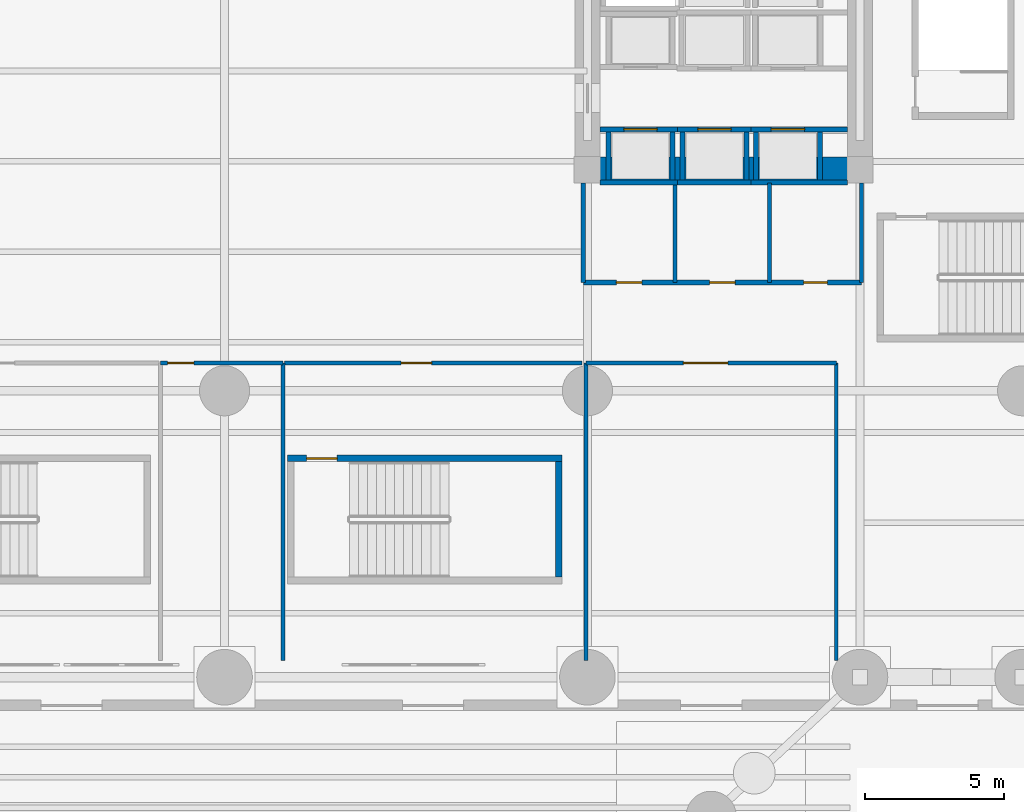
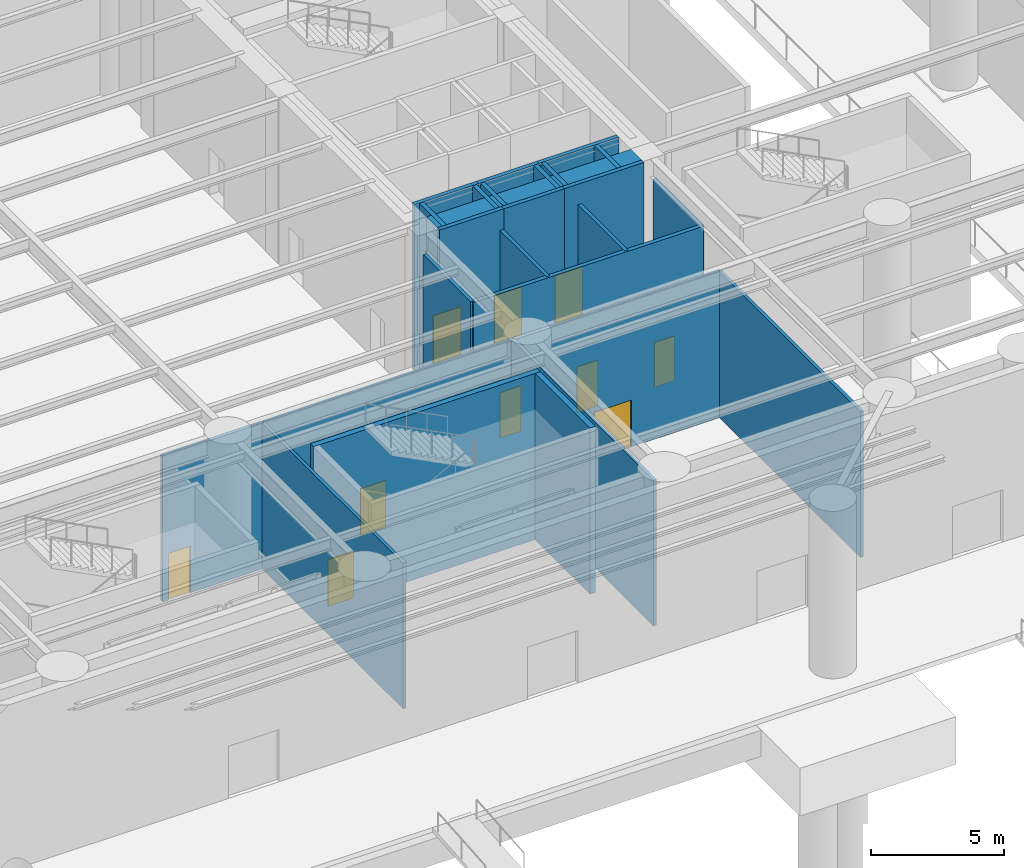
# One storey, part 10 of 25: 26 walls, 10 doors, 10 openings.
"""IFC4 building model written with IfcOpenShell, lengths in metres."""

from ifc_helpers import new_model, si_unit, direction, frame, frame_2d, origin, place, context, subcontext, project, spatial, rectangle, extrude, material, layer, layer_set, type_object, element, fill, save


model = new_model("IFC4")

# Units and contexts
model_context = context("Model", 3, precision=1e-05, world=origin(), true_north=direction((0.0, 1.0)))
body_context = subcontext(model_context, "Body", "Model", "MODEL_VIEW")
ifc_project = project(units=[si_unit("LENGTHUNIT", "METRE"), si_unit("AREAUNIT", "SQUARE_METRE"), si_unit("VOLUMEUNIT", "CUBIC_METRE"), si_unit("PLANEANGLEUNIT", "RADIAN"), si_unit("MASSUNIT", "GRAM", prefix="KILO")], contexts=[model_context])

# Site, building, storey
site_placement = place(None, origin())
site = spatial("IfcSite", under=ifc_project, at=site_placement, CompositionType="ELEMENT")
building_placement = place(site_placement, origin())
building = spatial("IfcBuilding", under=site, at=building_placement, Name="Kolvaren Arena Tower", CompositionType="ELEMENT")
storey_placement = place(building_placement, origin())
storey = spatial("IfcBuildingStorey", under=building, at=storey_placement, Name="L00", CompositionType="ELEMENT", Elevation=0.0)

# Wall, opening, door
ifc_material_1 = material(Name="Gypsum board acoustic assembly", Category="gypsum")
ifc_layer_1 = layer(ifc_material_1, 0.159912109375)
ifc_layer_set_1 = layer_set([ifc_layer_1], Name="Gypsum board acoustic assembly")
wall_type_1 = type_object("IfcWallType", Name="CORR-160", PredefinedType="PARTITIONING", material=ifc_layer_set_1)
wall_1_placement = place(storey_placement, frame((39.64990234375, 12.5, 0.0), z_axis=(0.0, 0.0, 1.0), x_axis=(1.0, 0.0, 0.0)))
wall_1 = element("IfcWall", 1, at=wall_1_placement, inside=storey, type_object=wall_type_1, Name="Interior Partition Wall (L00)", PredefinedType="PARTITIONING", context=body_context, shape_type="SweptSolid", body=[
    extrude(rectangle(XDim=10.7001953125, YDim=0.159912109375, at=frame_2d((5.35009765625, 0.0))), origin(), (0.0, 0.0, 1.0), 6.7099609375),
])
opening_1_placement = place(wall_1_placement, frame((4.199951171875, 0.0, 0.0)))
opening_1 = element("IfcOpeningElement", 2, at=opening_1_placement, cuts=wall_1, Name="Opening D03", PredefinedType="OPENING", context=body_context, shape_type="SweptSolid", body=[
    extrude(rectangle(XDim=1.10009765625, YDim=2.14990234375, at=frame_2d((0.550048828125, 1.074951171875))), frame((0.0, 0.08984375, 0.0), z_axis=(0.0, -1.0, 0.0), x_axis=(1.0, 0.0, 0.0)), (0.0, 0.0, 1.0), 0.179931640625),
])
ifc_material_2 = material(Name="Fire-rated steel exit stair door", Category="steel")
door_type_1 = type_object("IfcDoorType", Name="DOOR-ST-110", OperationType="NOTDEFINED", PredefinedType="DOOR", material=ifc_material_2)
door_1_placement = place(opening_1_placement, origin())
door_1 = element("IfcDoor", 3, at=door_1_placement, inside=storey, type_object=door_type_1, Name="South-East Exit Lobby Door", OperationType="SINGLE_SWING_LEFT", OverallHeight=2.14990234375, OverallWidth=1.10009765625, PredefinedType="DOOR", context=body_context, shape_type="SweptSolid", body=[
    extrude(rectangle(XDim=1.10009765625, YDim=2.14990234375, at=frame_2d((0.550048828125, 1.074951171875))), frame((0.0, 0.02490234375, 0.0), z_axis=(0.0, -1.0, 0.0), x_axis=(1.0, 0.0, 0.0)), (0.0, 0.0, 1.0), 0.050048828125),
])
fill(opening_1, door_1)

wall_2_placement = place(storey_placement, frame((35.199951171875, 12.5, 0.0), z_axis=(0.0, 0.0, 1.0), x_axis=(1.0, 0.0, 0.0)))
wall_2 = element("IfcWall", 4, at=wall_2_placement, inside=storey, type_object=wall_type_1, Name="Interior Partition Wall (L00)", PredefinedType="PARTITIONING", context=body_context, shape_type="SweptSolid", body=[
    extrude(rectangle(XDim=4.400146484375, YDim=0.159912109375, at=frame_2d((2.2001953125, 0.0))), origin(), (0.0, 0.0, 1.0), 6.7099609375),
])
opening_2_placement = place(wall_2_placement, frame((0.25, 0.0, 0.0)))
opening_2 = element("IfcOpeningElement", 5, at=opening_2_placement, cuts=wall_2, Name="Opening D05", PredefinedType="OPENING", context=body_context, shape_type="SweptSolid", body=[
    extrude(rectangle(XDim=0.949951171875, YDim=2.14990234375, at=frame_2d((0.47509765625, 1.074951171875))), frame((0.0, 0.08984375, 0.0), z_axis=(0.0, -1.0, 0.0), x_axis=(1.0, 0.0, 0.0)), (0.0, 0.0, 1.0), 0.179931640625),
])
ifc_material_3 = material(Name="Solid-core oak acoustic office door", Category="wood")
door_type_2 = type_object("IfcDoorType", Name="DOOR-OF-095", OperationType="NOTDEFINED", PredefinedType="DOOR", material=ifc_material_3)
door_2_placement = place(opening_2_placement, origin())
door_2 = element("IfcDoor", 6, at=door_2_placement, inside=storey, type_object=door_type_2, Name="Ticket Box Office Door", OperationType="SINGLE_SWING_RIGHT", OverallHeight=2.14990234375, OverallWidth=0.949951171875, PredefinedType="DOOR", context=body_context, shape_type="SweptSolid", body=[
    extrude(rectangle(XDim=0.949951171875, YDim=2.14990234375, at=frame_2d((0.47509765625, 1.074951171875))), frame((0.0, 0.02490234375, 0.0), z_axis=(0.0, -1.0, 0.0), x_axis=(1.0, 0.0, 0.0)), (0.0, 0.0, 1.0), 0.050048828125),
])
fill(opening_2, door_2)

wall_3_placement = place(storey_placement, frame((50.5, 12.5, 0.0), z_axis=(0.0, 0.0, 1.0), x_axis=(1.0, 0.0, 0.0)))
wall_3 = element("IfcWall", 7, at=wall_3_placement, inside=storey, type_object=wall_type_1, Name="Interior Partition Wall (L00)", PredefinedType="PARTITIONING", context=body_context, shape_type="SweptSolid", body=[
    extrude(rectangle(XDim=9.0, YDim=0.159912109375, at=frame_2d((4.5, 0.0))), origin(), (0.0, 0.0, 1.0), 6.7099609375),
])
opening_3_placement = place(wall_3_placement, frame((3.5, 0.0, 0.0)))
opening_3 = element("IfcOpeningElement", 8, at=opening_3_placement, cuts=wall_3, Name="Opening D06", PredefinedType="OPENING", context=body_context, shape_type="SweptSolid", body=[
    extrude(rectangle(XDim=1.60009765625, YDim=2.14990234375, at=frame_2d((0.800048828125, 1.074951171875))), frame((0.0, 0.08984375, 0.0), z_axis=(0.0, -1.0, 0.0), x_axis=(1.0, 0.0, 0.0)), (0.0, 0.0, 1.0), 0.179931640625),
])
ifc_material_4 = material(Name="Glazed acoustic boardroom double door", Category="aluminium")
door_type_3 = type_object("IfcDoorType", Name="DOOR-MT-160", OperationType="DOUBLE_DOOR_SINGLE_SWING", PredefinedType="DOOR", material=ifc_material_4)
door_3_placement = place(opening_3_placement, origin())
door_3 = element("IfcDoor", 9, at=door_3_placement, inside=storey, type_object=door_type_3, Name="Concourse Retail Gallery Door", OperationType="DOUBLE_DOOR_SINGLE_SWING", OverallHeight=2.14990234375, OverallWidth=1.60009765625, PredefinedType="DOOR", context=body_context, shape_type="SweptSolid", body=[
    extrude(rectangle(XDim=1.60009765625, YDim=2.14990234375, at=frame_2d((0.800048828125, 1.074951171875))), frame((0.0, 0.02490234375, 0.0), z_axis=(0.0, -1.0, 0.0), x_axis=(1.0, 0.0, 0.0)), (0.0, 0.0, 1.0), 0.050048828125),
])
fill(opening_3, door_3)

# Walls
ifc_material_5 = material(Name="Concrete 80 MPa", Category="concrete")
ifc_layer_2 = layer(ifc_material_5, 0.89990234375)
ifc_layer_set_2 = layer_set([ifc_layer_2], Name="Concrete 80 MPa")
wall_type_2 = type_object("IfcWallType", Name="CWALL-900", PredefinedType="SHEAR", material=ifc_layer_set_2)
wall_4_placement = place(storey_placement, frame((51.0, 19.449951171875, -0.449951171875), z_axis=(0.0, 0.0, 1.0), x_axis=(1.0, 0.0, 0.0)))
element("IfcWall", 10, at=wall_4_placement, inside=storey, type_object=wall_type_2, Name="Core Shear Wall EC-SOUTH (L00)", PredefinedType="SHEAR", context=body_context, shape_type="SweptSolid", body=[
    extrude(rectangle(XDim=8.89990234375, YDim=0.89990234375, at=frame_2d((4.449951171875, 0.0))), origin(), (0.0, 0.0, 1.0), 8.099853515625),
])
ifc_material_6 = material(Name="Gypsum board partition assembly", Category="gypsum")
ifc_layer_3 = layer(ifc_material_6, 0.135009765625)
ifc_layer_set_3 = layer_set([ifc_layer_3], Name="Gypsum board partition assembly")
wall_type_3 = type_object("IfcWallType", Name="PART-135", PredefinedType="PARTITIONING", material=ifc_layer_set_3)
for number, where, z_axis, x_axis, name in (
    (11, (39.60009765625, 1.800048828125, 0.0), (0.0, 0.0, 1.0), (0.0, 1.0, 0.0), "Interior Partition Wall (L00)"),
    (12, (50.5, 1.800048828125, 0.0), (0.0, 0.0, 1.0), (0.0, 1.0, 0.0), "Interior Partition Wall (L00)"),
    (13, (59.5, 1.800048828125, 0.0), (0.0, 0.0, 1.0), (0.0, 1.0, 0.0), "Interior Partition Wall (L00)"),
):
    element("IfcWall", number, at=place(storey_placement, frame(where, z_axis=z_axis, x_axis=x_axis)), inside=storey, type_object=wall_type_3, Name=name, PredefinedType="PARTITIONING", context=body_context, shape_type="SweptSolid", body=[
        extrude(rectangle(XDim=10.699951171875, YDim=0.135009765625, at=frame_2d((5.35009765625, 0.0))), origin(), (0.0, 0.0, 1.0), 6.7099609375),
    ])

# Wall, opening, door
ifc_material_7 = material(Name="Concrete 45 MPa", Category="concrete")
ifc_layer_4 = layer(ifc_material_7, 0.25)
ifc_layer_set_4 = layer_set([ifc_layer_4], Name="Concrete 45 MPa")
wall_type_4 = type_object("IfcWallType", Name="SHAFT-250", PredefinedType="SOLIDWALL", material=ifc_layer_set_4)
wall_5_placement = place(storey_placement, frame((39.760009765625, 9.070068359375, 0.0), z_axis=(0.0, 0.0, 1.0), x_axis=(1.0, 0.0, 0.0)))
wall_5 = element("IfcWall", 14, at=wall_5_placement, inside=storey, type_object=wall_type_4, Name="Stair ST-A3 Rated Enclosure Wall (L00)", PredefinedType="SOLIDWALL", context=body_context, shape_type="SweptSolid", body=[
    extrude(rectangle(XDim=9.8798828125, YDim=0.239990234375, at=frame_2d((4.93994140625, 0.0))), origin(), (0.0, 0.0, 1.0), 7.64990234375),
])
opening_4_placement = place(wall_5_placement, frame((0.68994140625, 0.0, 0.0)))
opening_4 = element("IfcOpeningElement", 15, at=opening_4_placement, cuts=wall_5, Name="Opening D03", PredefinedType="OPENING", context=body_context, shape_type="SweptSolid", body=[
    extrude(rectangle(XDim=1.10009765625, YDim=2.14990234375, at=frame_2d((0.550048828125, 1.074951171875))), frame((0.0, 0.1298828125, 0.0), z_axis=(0.0, -1.0, 0.0), x_axis=(1.0, 0.0, 0.0)), (0.0, 0.0, 1.0), 0.260009765625),
])
door_4_placement = place(opening_4_placement, origin())
door_4 = element("IfcDoor", 16, at=door_4_placement, inside=storey, type_object=door_type_1, Name="Exit Stair ST-A3 Fire Door (L00)", OperationType="SINGLE_SWING_RIGHT", OverallHeight=2.14990234375, OverallWidth=1.10009765625, PredefinedType="DOOR", context=body_context, shape_type="SweptSolid", body=[
    extrude(rectangle(XDim=1.10009765625, YDim=2.14990234375, at=frame_2d((0.550048828125, 1.074951171875))), frame((0.0, 0.02490234375, 0.0), z_axis=(0.0, -1.0, 0.0), x_axis=(1.0, 0.0, 0.0)), (0.0, 0.0, 1.0), 0.050048828125),
])
fill(opening_4, door_4)

# Wall
wall_6_placement = place(storey_placement, frame((49.52001953125, 4.800048828125, 0.0), z_axis=(0.0, 0.0, 1.0), x_axis=(0.0, 1.0, 0.0)))
element("IfcWall", 17, at=wall_6_placement, inside=storey, type_object=wall_type_4, Name="Stair ST-A3 East Shaft Wall (L00)", PredefinedType="SOLIDWALL", context=body_context, shape_type="SweptSolid", body=[
    extrude(rectangle(XDim=4.14990234375, YDim=0.239990234375, at=frame_2d((2.074951171875, 0.0))), origin(), (0.0, 0.0, 1.0), 7.64990234375),
])

# Wall, opening, door
wall_7_placement = place(storey_placement, frame((51.0, 20.905029296875, 0.0), z_axis=(0.0, 0.0, 1.0), x_axis=(1.0, 0.0, 0.0)))
wall_7 = element("IfcWall", 18, at=wall_7_placement, inside=storey, type_object=wall_type_4, Name="Core Shaft Wall (L00)", PredefinedType="SOLIDWALL", context=body_context, shape_type="SweptSolid", body=[
    extrude(rectangle(XDim=2.7900390625, YDim=0.179931640625, at=frame_2d((1.39501953125, 0.0))), origin(), (0.0, 0.0, 1.0), 7.64990234375),
])
opening_5_placement = place(wall_7_placement, frame((0.860107421875, 0.0, 0.0)))
opening_5 = element("IfcOpeningElement", 19, at=opening_5_placement, cuts=wall_7, Name="Opening LD1", PredefinedType="OPENING", context=body_context, shape_type="SweptSolid", body=[
    extrude(rectangle(XDim=1.199951171875, YDim=2.199951171875, at=frame_2d((0.60009765625, 1.10009765625))), frame((0.0, 0.099853515625, 0.0), z_axis=(0.0, -1.0, 0.0), x_axis=(1.0, 0.0, 0.0)), (0.0, 0.0, 1.0), 0.199951171875),
])
ifc_material_8 = material(Name="Stainless steel passenger lift landing door", Category="steel")
door_type_4 = type_object("IfcDoorType", Name="DOOR-LD-120", OperationType="DOUBLE_DOOR_SLIDING", PredefinedType="DOOR", material=ifc_material_8)
door_5_placement = place(opening_5_placement, origin())
door_5 = element("IfcDoor", 20, at=door_5_placement, inside=storey, type_object=door_type_4, Name="Lift EL-LR1 Landing Door (L00)", OperationType="DOUBLE_DOOR_SLIDING", OverallHeight=2.199951171875, OverallWidth=1.199951171875, PredefinedType="DOOR", context=body_context, shape_type="SweptSolid", body=[
    extrude(rectangle(XDim=1.199951171875, YDim=2.199951171875, at=frame_2d((0.60009765625, 1.10009765625))), frame((0.0, 0.02490234375, 0.0), z_axis=(0.0, -1.0, 0.0), x_axis=(1.0, 0.0, 0.0)), (0.0, 0.0, 1.0), 0.050048828125),
])
fill(opening_5, door_5)

# Walls
wall_8_placement = place(storey_placement, frame((51.0, 18.9951171875, 0.0), z_axis=(0.0, 0.0, 1.0), x_axis=(1.0, 0.0, 0.0)))
element("IfcWall", 21, at=wall_8_placement, inside=storey, type_object=wall_type_4, Name="Core Shaft Wall (L00)", PredefinedType="SOLIDWALL", context=body_context, shape_type="SweptSolid", body=[
    extrude(rectangle(XDim=2.7900390625, YDim=0.179931640625, at=frame_2d((1.39501953125, 0.0))), origin(), (0.0, 0.0, 1.0), 7.64990234375),
])
for number, where, z_axis, x_axis, name in (
    (22, (51.304931640625, 19.0849609375, 0.0), (0.0, 0.0, 1.0), (0.0, 1.0, 0.0), "Core Shaft Wall (L00)"),
    (23, (53.614990234375, 19.0849609375, 0.0), (0.0, 0.0, 1.0), (0.0, 1.0, 0.0), "Core Shaft Wall (L00)"),
):
    element("IfcWall", number, at=place(storey_placement, frame(where, z_axis=z_axis, x_axis=x_axis)), inside=storey, type_object=wall_type_4, Name=name, PredefinedType="SOLIDWALL", context=body_context, shape_type="SweptSolid", body=[
        extrude(rectangle(XDim=1.72998046875, YDim=0.179931640625, at=frame_2d((0.864990234375, 0.0))), origin(), (0.0, 0.0, 1.0), 7.64990234375),
    ])

# Wall, opening, door
wall_9_placement = place(storey_placement, frame((53.7900390625, 20.905029296875, 0.0), z_axis=(0.0, 0.0, 1.0), x_axis=(1.0, 0.0, 0.0)))
wall_9 = element("IfcWall", 24, at=wall_9_placement, inside=storey, type_object=wall_type_4, Name="Core Shaft Wall (L00)", PredefinedType="SOLIDWALL", context=body_context, shape_type="SweptSolid", body=[
    extrude(rectangle(XDim=2.64990234375, YDim=0.179931640625, at=frame_2d((1.324951171875, 0.0))), origin(), (0.0, 0.0, 1.0), 7.64990234375),
])
opening_6_placement = place(wall_9_placement, frame((0.72998046875, 0.0, 0.0)))
opening_6 = element("IfcOpeningElement", 25, at=opening_6_placement, cuts=wall_9, Name="Opening LD1", PredefinedType="OPENING", context=body_context, shape_type="SweptSolid", body=[
    extrude(rectangle(XDim=1.199951171875, YDim=2.199951171875, at=frame_2d((0.60009765625, 1.10009765625))), frame((0.0, 0.099853515625, 0.0), z_axis=(0.0, -1.0, 0.0), x_axis=(1.0, 0.0, 0.0)), (0.0, 0.0, 1.0), 0.199951171875),
])
door_6_placement = place(opening_6_placement, origin())
door_6 = element("IfcDoor", 26, at=door_6_placement, inside=storey, type_object=door_type_4, Name="Lift EL-LR2 Landing Door (L00)", OperationType="DOUBLE_DOOR_SLIDING", OverallHeight=2.199951171875, OverallWidth=1.199951171875, PredefinedType="DOOR", context=body_context, shape_type="SweptSolid", body=[
    extrude(rectangle(XDim=1.199951171875, YDim=2.199951171875, at=frame_2d((0.60009765625, 1.10009765625))), frame((0.0, 0.02490234375, 0.0), z_axis=(0.0, -1.0, 0.0), x_axis=(1.0, 0.0, 0.0)), (0.0, 0.0, 1.0), 0.050048828125),
])
fill(opening_6, door_6)

# Walls
wall_10_placement = place(storey_placement, frame((53.7900390625, 18.9951171875, 0.0), z_axis=(0.0, 0.0, 1.0), x_axis=(1.0, 0.0, 0.0)))
element("IfcWall", 27, at=wall_10_placement, inside=storey, type_object=wall_type_4, Name="Core Shaft Wall (L00)", PredefinedType="SOLIDWALL", context=body_context, shape_type="SweptSolid", body=[
    extrude(rectangle(XDim=2.64990234375, YDim=0.179931640625, at=frame_2d((1.324951171875, 0.0))), origin(), (0.0, 0.0, 1.0), 7.64990234375),
])
for number, where, z_axis, x_axis, name in (
    (28, (53.965087890625, 19.0849609375, 0.0), (0.0, 0.0, 1.0), (0.0, 1.0, 0.0), "Core Shaft Wall (L00)"),
    (29, (56.27490234375, 19.0849609375, 0.0), (0.0, 0.0, 1.0), (0.0, 1.0, 0.0), "Core Shaft Wall (L00)"),
):
    element("IfcWall", number, at=place(storey_placement, frame(where, z_axis=z_axis, x_axis=x_axis)), inside=storey, type_object=wall_type_4, Name=name, PredefinedType="SOLIDWALL", context=body_context, shape_type="SweptSolid", body=[
        extrude(rectangle(XDim=1.72998046875, YDim=0.179931640625, at=frame_2d((0.864990234375, 0.0))), origin(), (0.0, 0.0, 1.0), 7.64990234375),
    ])

# Wall, opening, door
wall_11_placement = place(storey_placement, frame((56.43994140625, 20.905029296875, 0.0), z_axis=(0.0, 0.0, 1.0), x_axis=(1.0, 0.0, 0.0)))
wall_11 = element("IfcWall", 30, at=wall_11_placement, inside=storey, type_object=wall_type_4, Name="Core Shaft Wall (L00)", PredefinedType="SOLIDWALL", context=body_context, shape_type="SweptSolid", body=[
    extrude(rectangle(XDim=3.4599609375, YDim=0.179931640625, at=frame_2d((1.72998046875, 0.0))), origin(), (0.0, 0.0, 1.0), 7.64990234375),
])
opening_7_placement = place(wall_11_placement, frame((0.719970703125, 0.0, 0.0)))
opening_7 = element("IfcOpeningElement", 31, at=opening_7_placement, cuts=wall_11, Name="Opening LD1", PredefinedType="OPENING", context=body_context, shape_type="SweptSolid", body=[
    extrude(rectangle(XDim=1.199951171875, YDim=2.199951171875, at=frame_2d((0.60009765625, 1.10009765625))), frame((0.0, 0.099853515625, 0.0), z_axis=(0.0, -1.0, 0.0), x_axis=(1.0, 0.0, 0.0)), (0.0, 0.0, 1.0), 0.199951171875),
])
door_7_placement = place(opening_7_placement, origin())
door_7 = element("IfcDoor", 32, at=door_7_placement, inside=storey, type_object=door_type_4, Name="Lift EL-LR3 Landing Door (L00)", OperationType="DOUBLE_DOOR_SLIDING", OverallHeight=2.199951171875, OverallWidth=1.199951171875, PredefinedType="DOOR", context=body_context, shape_type="SweptSolid", body=[
    extrude(rectangle(XDim=1.199951171875, YDim=2.199951171875, at=frame_2d((0.60009765625, 1.10009765625))), frame((0.0, 0.02490234375, 0.0), z_axis=(0.0, -1.0, 0.0), x_axis=(1.0, 0.0, 0.0)), (0.0, 0.0, 1.0), 0.050048828125),
])
fill(opening_7, door_7)

# Walls
wall_12_placement = place(storey_placement, frame((56.43994140625, 18.9951171875, 0.0), z_axis=(0.0, 0.0, 1.0), x_axis=(1.0, 0.0, 0.0)))
element("IfcWall", 33, at=wall_12_placement, inside=storey, type_object=wall_type_4, Name="Core Shaft Wall (L00)", PredefinedType="SOLIDWALL", context=body_context, shape_type="SweptSolid", body=[
    extrude(rectangle(XDim=3.4599609375, YDim=0.179931640625, at=frame_2d((1.72998046875, 0.0))), origin(), (0.0, 0.0, 1.0), 7.64990234375),
])
for number, where, z_axis, x_axis, name in (
    (34, (56.60498046875, 19.0849609375, 0.0), (0.0, 0.0, 1.0), (0.0, 1.0, 0.0), "Core Shaft Wall (L00)"),
    (35, (58.9150390625, 19.0849609375, 0.0), (0.0, 0.0, 1.0), (0.0, 1.0, 0.0), "Core Shaft Wall (L00)"),
):
    element("IfcWall", number, at=place(storey_placement, frame(where, z_axis=z_axis, x_axis=x_axis)), inside=storey, type_object=wall_type_4, Name=name, PredefinedType="SOLIDWALL", context=body_context, shape_type="SweptSolid", body=[
        extrude(rectangle(XDim=1.72998046875, YDim=0.179931640625, at=frame_2d((0.864990234375, 0.0))), origin(), (0.0, 0.0, 1.0), 7.64990234375),
    ])

# Wall, openings, doors
wall_13_placement = place(storey_placement, frame((50.39990234375, 15.39990234375, 0.0), z_axis=(0.0, 0.0, 1.0), x_axis=(1.0, 0.0, 0.0)))
wall_13 = element("IfcWall", 36, at=wall_13_placement, inside=storey, type_object=wall_type_4, Name="Interior Partition Wall (L00)", PredefinedType="SOLIDWALL", context=body_context, shape_type="SweptSolid", body=[
    extrude(rectangle(XDim=10.0, YDim=0.179931640625, at=frame_2d((5.0, 0.0))), origin(), (0.0, 0.0, 1.0), 6.7099609375),
])
opening_8_placement = place(wall_13_placement, frame((1.18994140625, 0.0, 0.0)))
opening_8 = element("IfcOpeningElement", 37, at=opening_8_placement, cuts=wall_13, Name="Opening D07", PredefinedType="OPENING", context=body_context, shape_type="SweptSolid", body=[
    extrude(rectangle(XDim=0.919921875, YDim=2.10009765625, at=frame_2d((0.4599609375, 1.050048828125))), frame((0.0, 0.099853515625, 0.0), z_axis=(0.0, -1.0, 0.0), x_axis=(1.0, 0.0, 0.0)), (0.0, 0.0, 1.0), 0.199951171875),
])
opening_9_placement = place(wall_13_placement, frame((4.5400390625, 0.0, 0.0)))
opening_9 = element("IfcOpeningElement", 38, at=opening_9_placement, cuts=wall_13, Name="Opening D07", PredefinedType="OPENING", context=body_context, shape_type="SweptSolid", body=[
    extrude(rectangle(XDim=0.919921875, YDim=2.10009765625, at=frame_2d((0.4599609375, 1.050048828125))), frame((0.0, 0.099853515625, 0.0), z_axis=(0.0, -1.0, 0.0), x_axis=(1.0, 0.0, 0.0)), (0.0, 0.0, 1.0), 0.199951171875),
])
opening_10_placement = place(wall_13_placement, frame((7.919921875, 0.0, 0.0)))
opening_10 = element("IfcOpeningElement", 39, at=opening_10_placement, cuts=wall_13, Name="Opening D09", PredefinedType="OPENING", context=body_context, shape_type="SweptSolid", body=[
    extrude(rectangle(XDim=0.860107421875, YDim=2.050048828125, at=frame_2d((0.43017578125, 1.02490234375))), frame((0.0, 0.099853515625, 0.0), z_axis=(0.0, -1.0, 0.0), x_axis=(1.0, 0.0, 0.0)), (0.0, 0.0, 1.0), 0.199951171875),
])
ifc_material_9 = material(Name="Fire-rated steel riser access door", Category="steel")
door_type_5 = type_object("IfcDoorType", Name="DOOR-RS-086", OperationType="NOTDEFINED", PredefinedType="DOOR", material=ifc_material_9)
door_8_placement = place(opening_10_placement, origin())
door_8 = element("IfcDoor", 40, at=door_8_placement, inside=storey, type_object=door_type_5, Name="Mechanical Riser Closet Door (L00)", OperationType="SINGLE_SWING_RIGHT", OverallHeight=2.050048828125, OverallWidth=0.860107421875, PredefinedType="DOOR", context=body_context, shape_type="SweptSolid", body=[
    extrude(rectangle(XDim=0.860107421875, YDim=2.050048828125, at=frame_2d((0.43017578125, 1.02490234375))), frame((0.0, 0.02490234375, 0.0), z_axis=(0.0, -1.0, 0.0), x_axis=(1.0, 0.0, 0.0)), (0.0, 0.0, 1.0), 0.050048828125),
])
fill(opening_10, door_8)
ifc_material_10 = material(Name="Laminate universal washroom door", Category="wood")
door_type_6 = type_object("IfcDoorType", Name="DOOR-WC-092", OperationType="NOTDEFINED", PredefinedType="DOOR", material=ifc_material_10)
door_9_placement = place(opening_8_placement, origin())
door_9 = element("IfcDoor", 41, at=door_9_placement, inside=storey, type_object=door_type_6, Name="Staff Pantry Door (L00)", OperationType="SINGLE_SWING_RIGHT", OverallHeight=2.10009765625, OverallWidth=0.919921875, PredefinedType="DOOR", context=body_context, shape_type="SweptSolid", body=[
    extrude(rectangle(XDim=0.919921875, YDim=2.10009765625, at=frame_2d((0.4599609375, 1.050048828125))), frame((0.0, 0.02490234375, 0.0), z_axis=(0.0, -1.0, 0.0), x_axis=(1.0, 0.0, 0.0)), (0.0, 0.0, 1.0), 0.050048828125),
])
fill(opening_8, door_9)
door_10_placement = place(opening_9_placement, origin())
door_10 = element("IfcDoor", 42, at=door_10_placement, inside=storey, type_object=door_type_6, Name="Gender-Neutral Washroom Door (L00)", OperationType="SINGLE_SWING_LEFT", OverallHeight=2.10009765625, OverallWidth=0.919921875, PredefinedType="DOOR", context=body_context, shape_type="SweptSolid", body=[
    extrude(rectangle(XDim=0.919921875, YDim=2.10009765625, at=frame_2d((0.4599609375, 1.050048828125))), frame((0.0, 0.02490234375, 0.0), z_axis=(0.0, -1.0, 0.0), x_axis=(1.0, 0.0, 0.0)), (0.0, 0.0, 1.0), 0.050048828125),
])
fill(opening_9, door_10)

# Walls
ifc_material_11 = material(Name="Moisture-resistant gypsum assembly", Category="gypsum")
ifc_layer_5 = layer(ifc_material_11, 0.14990234375)
ifc_layer_set_5 = layer_set([ifc_layer_5], Name="Moisture-resistant gypsum assembly")
wall_type_5 = type_object("IfcWallType", Name="WETW-150", PredefinedType="PARTITIONING", material=ifc_layer_set_5)
for number, where, z_axis, x_axis, name in (
    (43, (53.699951171875, 15.39990234375, 0.0), (0.0, 0.0, 1.0), (0.0, 1.0, 0.0), "Interior Partition Wall (L00)"),
    (44, (57.10009765625, 15.39990234375, 0.0), (0.0, 0.0, 1.0), (0.0, 1.0, 0.0), "Interior Partition Wall (L00)"),
    (45, (50.39990234375, 15.39990234375, 0.0), (0.0, 0.0, 1.0), (0.0, 1.0, 0.0), "Interior Partition Wall (L00)"),
    (46, (60.39990234375, 15.39990234375, 0.0), (0.0, 0.0, 1.0), (0.0, 1.0, 0.0), "Interior Partition Wall (L00)"),
):
    element("IfcWall", number, at=place(storey_placement, frame(where, z_axis=z_axis, x_axis=x_axis)), inside=storey, type_object=wall_type_5, Name=name, PredefinedType="PARTITIONING", context=body_context, shape_type="SweptSolid", body=[
        extrude(rectangle(XDim=3.580078125, YDim=0.14990234375, at=frame_2d((1.7900390625, 0.0))), origin(), (0.0, 0.0, 1.0), 6.7099609375),
    ])

save(model, "model.ifc")
